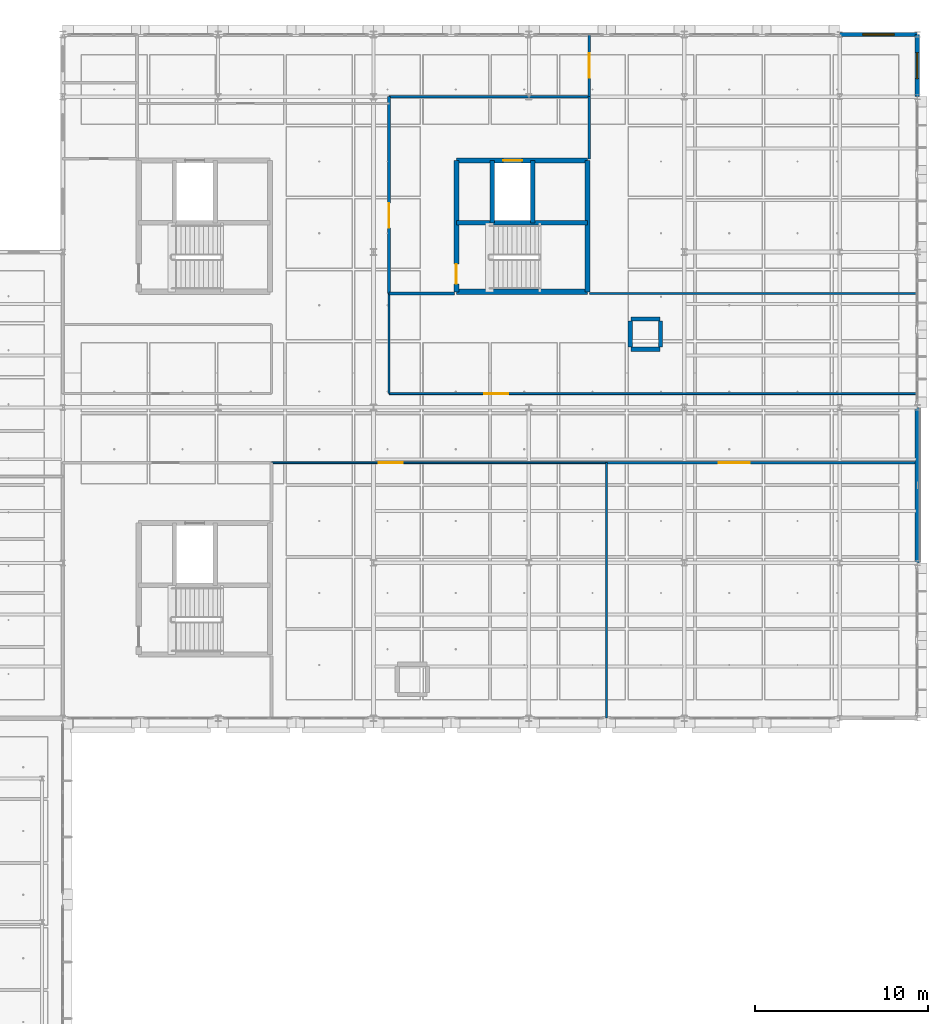
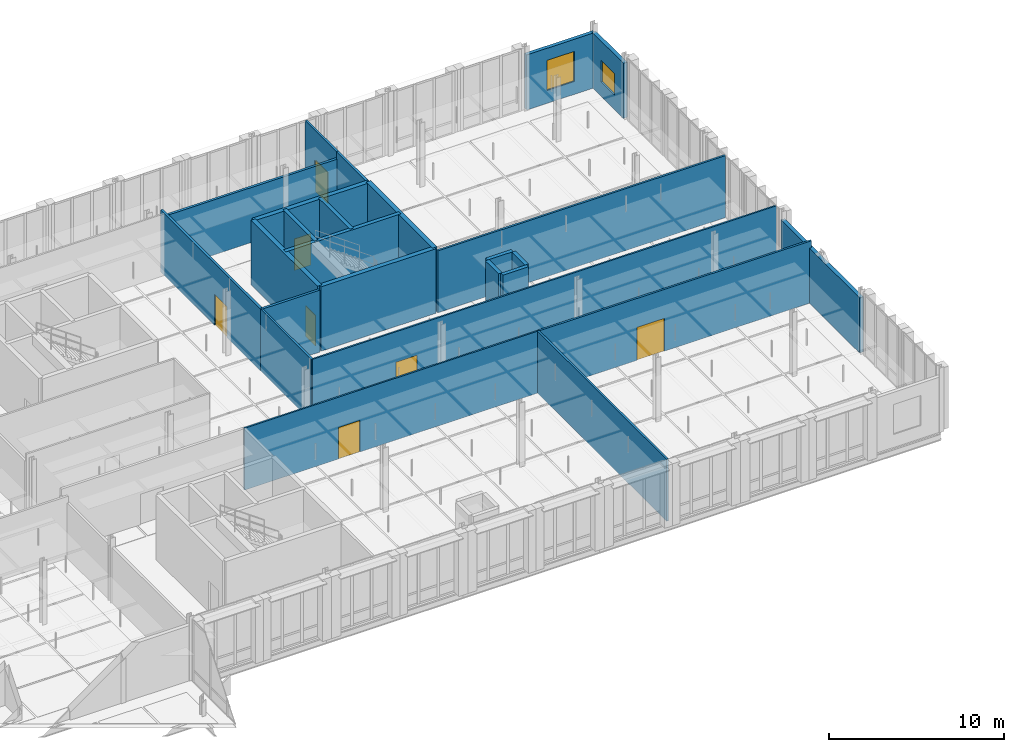
# One storey, part 75 of 130: 25 walls, 7 doors, 2 windows, 9 openings.
"""IFC4 building model written with IfcOpenShell, lengths in metres."""

from ifc_helpers import new_model, si_unit, direction, frame, frame_2d, origin, place, context, subcontext, project, spatial, rectangle, extrude, material, layer, layer_set, type_object, element, fill, save


model = new_model("IFC4")

# Units and contexts
model_context = context("Model", 3, precision=1e-05, world=origin(), true_north=direction((0.0, 1.0)))
body_context = subcontext(model_context, "Body", "Model", "MODEL_VIEW")
ifc_project = project(units=[si_unit("LENGTHUNIT", "METRE"), si_unit("AREAUNIT", "SQUARE_METRE"), si_unit("VOLUMEUNIT", "CUBIC_METRE"), si_unit("PLANEANGLEUNIT", "RADIAN"), si_unit("MASSUNIT", "GRAM", prefix="KILO"), si_unit("THERMODYNAMICTEMPERATUREUNIT", "KELVIN"), si_unit("POWERUNIT", "WATT")], contexts=[model_context])

# Site, building, storey
site_placement = place(None, origin())
site = spatial("IfcSite", under=ifc_project, at=site_placement, CompositionType="ELEMENT")
building_placement = place(site_placement, origin())
building = spatial("IfcBuilding", under=site, at=building_placement, Name="Tallowbark Science Centre", CompositionType="ELEMENT")
storey_placement = place(building_placement, frame((0.0, 0.0, 5.39990234375)))
storey = spatial("IfcBuildingStorey", under=building, at=storey_placement, Name="L01", CompositionType="ELEMENT", Elevation=5.39990234375)

# Wall, opening, window
ifc_material_1 = material(Name="Hawkesbury Sandstone Faced Masonry Cavity Wall", Category="masonry")
ifc_layer_1 = layer(ifc_material_1, 0.22998046875)
ifc_layer_set_1 = layer_set([ifc_layer_1], Name="Hawkesbury Sandstone Faced Masonry Cavity Wall")
wall_type_1 = type_object("IfcWallType", Name="EWL-MAS-230", PredefinedType="STANDARD", material=ifc_layer_set_1)
wall_1_placement = place(storey_placement, frame((162.0, 111.60009765625, 0.0), z_axis=(0.0, 0.0, 1.0), x_axis=(-1.0, 0.0, 0.0)))
wall_1 = element("IfcWall", 1, at=wall_1_placement, inside=storey, type_object=wall_type_1, Name="Exterior Wall OBS-N-L01-157", PredefinedType="STANDARD", context=body_context, shape_type="SweptSolid", body=[
    extrude(rectangle(XDim=4.5, YDim=0.22998046875, at=frame_2d((2.25, 0.0))), origin(), (0.0, 0.0, 1.0), 3.84619140625),
])
opening_1_placement = place(wall_1_placement, frame((1.35009765625, 0.0, 0.89990234375)))
opening_1 = element("IfcOpeningElement", 2, at=opening_1_placement, cuts=wall_1, Name="Opening W-04", PredefinedType="OPENING", context=body_context, shape_type="SweptSolid", body=[
    extrude(rectangle(XDim=1.800048828125, YDim=2.10009765625, at=frame_2d((0.89990234375, 1.050048828125))), frame((0.0, 0.125, 0.0), z_axis=(0.0, -1.0, 0.0), x_axis=(1.0, 0.0, 0.0)), (0.0, 0.0, 1.0), 0.25),
])
ifc_material_2 = material(Name="Thermally Broken Aluminium and Low-E Double Glazing", Category="aluminium")
window_type_1 = type_object("IfcWindowType", Name="WIN-F180x210", PartitioningType="SINGLE_PANEL", PredefinedType="WINDOW", material=ifc_material_2)
window_1_placement = place(opening_1_placement, origin())
window_1 = element("IfcWindow", 3, at=window_1_placement, inside=storey, type_object=window_type_1, Name="Window WIN-L01-0040", OverallHeight=2.10009765625, OverallWidth=1.800048828125, PartitioningType="SINGLE_PANEL", PredefinedType="WINDOW", context=body_context, shape_type="SweptSolid", body=[
    extrude(rectangle(XDim=1.800048828125, YDim=2.10009765625, at=frame_2d((0.89990234375, 1.050048828125))), frame((0.0, 0.030029296875, 0.0), z_axis=(0.0, -1.0, 0.0), x_axis=(1.0, 0.0, 0.0)), (0.0, 0.0, 1.0), 0.06005859375),
])
fill(opening_1, window_1)

# Wall
ifc_material_3 = material(Name="Insulated Precast Concrete Panel Grade N40 (40 MPa)", Category="concrete")
ifc_layer_2 = layer(ifc_material_3, 0.25)
ifc_layer_set_2 = layer_set([ifc_layer_2], Name="Insulated Precast Concrete Panel Grade N40 (40 MPa)")
wall_type_2 = type_object("IfcWallType", Name="EWL-PRC-250", PredefinedType="STANDARD", material=ifc_layer_set_2)
wall_2_placement = place(storey_placement, frame((162.0, 81.0, 0.0), z_axis=(0.0, 0.0, 1.0), x_axis=(0.0, 1.0, 0.0)))
element("IfcWall", 4, at=wall_2_placement, inside=storey, type_object=wall_type_2, Name="Exterior Wall OBS-E-L01-81", PredefinedType="STANDARD", context=body_context, shape_type="SweptSolid", body=[
    extrude(rectangle(XDim=9.0, YDim=0.25, at=frame_2d((4.5, 0.0))), origin(), (0.0, 0.0, 1.0), 3.84619140625),
])

# Wall, opening, window
wall_3_placement = place(storey_placement, frame((162.0, 108.0, 0.0), z_axis=(0.0, 0.0, 1.0), x_axis=(0.0, 1.0, 0.0)))
wall_3 = element("IfcWall", 5, at=wall_3_placement, inside=storey, type_object=wall_type_2, Name="Exterior Wall OBS-E-L01-108", PredefinedType="STANDARD", context=body_context, shape_type="SweptSolid", body=[
    extrude(rectangle(XDim=3.60009765625, YDim=0.25, at=frame_2d((1.800048828125, 0.0))), origin(), (0.0, 0.0, 1.0), 3.84619140625),
])
opening_2_placement = place(wall_3_placement, frame((1.050048828125, 0.0, 1.0)))
opening_2 = element("IfcOpeningElement", 6, at=opening_2_placement, cuts=wall_3, Name="Opening W-08", PredefinedType="OPENING", context=body_context, shape_type="SweptSolid", body=[
    extrude(rectangle(XDim=1.5, YDim=1.5, at=frame_2d((0.75, 0.75))), frame((0.0, 0.135009765625, 0.0), z_axis=(0.0, -1.0, 0.0), x_axis=(1.0, 0.0, 0.0)), (0.0, 0.0, 1.0), 0.27001953125),
])
window_type_2 = type_object("IfcWindowType", Name="WIN-F150x150", PartitioningType="SINGLE_PANEL", PredefinedType="WINDOW", material=ifc_material_2)
window_2_placement = place(opening_2_placement, origin())
window_2 = element("IfcWindow", 7, at=window_2_placement, inside=storey, type_object=window_type_2, Name="Window WIN-L01-0041", OverallHeight=1.5, OverallWidth=1.5, PartitioningType="SINGLE_PANEL", PredefinedType="WINDOW", context=body_context, shape_type="SweptSolid", body=[
    extrude(rectangle(XDim=1.5, YDim=1.5, at=frame_2d((0.75, 0.75))), frame((0.0, 0.030029296875, 0.0), z_axis=(0.0, -1.0, 0.0), x_axis=(1.0, 0.0, 0.0)), (0.0, 0.0, 1.0), 0.06005859375),
])
fill(opening_2, window_2)

# Wall
ifc_material_4 = material(Name="132 mm Acoustic Laboratory Steel Stud Partition", Category="steel")
ifc_layer_3 = layer(ifc_material_4, 0.132080078125)
ifc_layer_set_3 = layer_set([ifc_layer_3], Name="132 mm Acoustic Laboratory Steel Stud Partition")
wall_type_3 = type_object("IfcWallType", Name="PTW-132", PredefinedType="PARTITIONING", material=ifc_layer_set_3)
wall_4_placement = place(storey_placement, frame((144.0, 72.0, 0.0), z_axis=(0.0, 0.0, 1.0), x_axis=(0.0, 1.0, 0.0)))
element("IfcWall", 8, at=wall_4_placement, inside=storey, type_object=wall_type_3, Name="Interior Partition PTW-L01-0192", PredefinedType="PARTITIONING", context=body_context, shape_type="SweptSolid", body=[
    extrude(rectangle(XDim=14.800048828125, YDim=0.132080078125, at=frame_2d((7.39990234375, 0.0))), origin(), (0.0, 0.0, 1.0), 4.320068359375),
])

# Wall, opening, door
wall_5_placement = place(storey_placement, frame((144.0, 86.800048828125, 0.0), z_axis=(0.0, 0.0, 1.0), x_axis=(1.0, 0.0, 0.0)))
wall_5 = element("IfcWall", 9, at=wall_5_placement, inside=storey, type_object=wall_type_3, Name="Interior Partition PTW-L01-0193", PredefinedType="PARTITIONING", context=body_context, shape_type="SweptSolid", body=[
    extrude(rectangle(XDim=18.0, YDim=0.132080078125, at=frame_2d((9.0, 0.0))), origin(), (0.0, 0.0, 1.0), 4.320068359375),
])
opening_3_placement = place(wall_5_placement, frame((6.5, 0.0, 0.0)))
opening_3 = element("IfcOpeningElement", 10, at=opening_3_placement, cuts=wall_5, Name="Opening ID-03", PredefinedType="OPENING", context=body_context, shape_type="SweptSolid", body=[
    extrude(rectangle(XDim=1.800048828125, YDim=2.300048828125, at=frame_2d((0.89990234375, 1.14990234375))), frame((0.0, 0.076171875, 0.0), z_axis=(0.0, -1.0, 0.0), x_axis=(1.0, 0.0, 0.0)), (0.0, 0.0, 1.0), 0.152099609375),
])
ifc_material_5 = material(Name="Acoustic Sound-Lock Theatre Pair")
door_type_1 = type_object("IfcDoorType", Name="IDR-AUD-180", OperationType="DOUBLE_DOOR_SINGLE_SWING", PredefinedType="DOOR", material=ifc_material_5)
door_1_placement = place(opening_3_placement, origin())
door_1 = element("IfcDoor", 11, at=door_1_placement, inside=storey, type_object=door_type_1, Name="Interior Door IDR-L01-0080", OperationType="DOUBLE_DOOR_SINGLE_SWING", OverallHeight=2.300048828125, OverallWidth=1.800048828125, PredefinedType="DOOR", context=body_context, shape_type="SweptSolid", body=[
    extrude(rectangle(XDim=1.800048828125, YDim=2.300048828125, at=frame_2d((0.89990234375, 1.14990234375))), frame((0.0, 0.02490234375, 0.0), z_axis=(0.0, -1.0, 0.0), x_axis=(1.0, 0.0, 0.0)), (0.0, 0.0, 1.0), 0.050048828125),
])
fill(opening_3, door_1)

# Walls
wall_6_placement = place(storey_placement, frame((131.39990234375, 90.800048828125, 0.0), z_axis=(0.0, 0.0, 1.0), x_axis=(0.0, 1.0, 0.0)))
element("IfcWall", 12, at=wall_6_placement, inside=storey, type_object=wall_type_3, Name="Interior Partition PTW-L01-0202", PredefinedType="PARTITIONING", context=body_context, shape_type="SweptSolid", body=[
    extrude(rectangle(XDim=5.800048828125, YDim=0.132080078125, at=frame_2d((2.89990234375, 0.0))), origin(), (0.0, 0.0, 1.0), 4.320068359375),
])
wall_7_placement = place(storey_placement, frame((143.0, 96.60009765625, 0.0), z_axis=(0.0, 0.0, 1.0), x_axis=(1.0, 0.0, 0.0)))
element("IfcWall", 13, at=wall_7_placement, inside=storey, type_object=wall_type_3, Name="Interior Partition PTW-L01-0203", PredefinedType="PARTITIONING", context=body_context, shape_type="SweptSolid", body=[
    extrude(rectangle(XDim=19.0, YDim=0.132080078125, at=frame_2d((9.5, 0.0))), origin(), (0.0, 0.0, 1.0), 4.320068359375),
])

# Wall, opening, door
wall_8_placement = place(storey_placement, frame((143.0, 108.0, 0.0), z_axis=(0.0, 0.0, 1.0), x_axis=(0.0, 1.0, 0.0)))
wall_8 = element("IfcWall", 14, at=wall_8_placement, inside=storey, type_object=wall_type_3, Name="Interior Partition PTW-L01-0204", PredefinedType="PARTITIONING", context=body_context, shape_type="SweptSolid", body=[
    extrude(rectangle(XDim=3.60009765625, YDim=0.132080078125, at=frame_2d((1.800048828125, 0.0))), origin(), (0.0, 0.0, 1.0), 4.320068359375),
])
opening_4_placement = place(wall_8_placement, frame((1.10009765625, 0.0, 0.0)))
opening_4 = element("IfcOpeningElement", 15, at=opening_4_placement, cuts=wall_8, Name="Opening ID-01", PredefinedType="OPENING", context=body_context, shape_type="SweptSolid", body=[
    extrude(rectangle(XDim=1.39990234375, YDim=2.199951171875, at=frame_2d((0.699951171875, 1.10009765625))), frame((0.0, 0.076171875, 0.0), z_axis=(0.0, -1.0, 0.0), x_axis=(1.0, 0.0, 0.0)), (0.0, 0.0, 1.0), 0.152099609375),
])
ifc_material_6 = material(Name="Vision-Panel Leaf and Unequal Side Leaf")
door_type_2 = type_object("IfcDoorType", Name="IDR-LAB-140", OperationType="DOUBLE_DOOR_SINGLE_SWING", PredefinedType="DOOR", material=ifc_material_6)
door_2_placement = place(opening_4_placement, origin())
door_2 = element("IfcDoor", 16, at=door_2_placement, inside=storey, type_object=door_type_2, Name="Interior Door IDR-L01-0085", OperationType="DOUBLE_DOOR_SINGLE_SWING", OverallHeight=2.199951171875, OverallWidth=1.39990234375, PredefinedType="DOOR", context=body_context, shape_type="SweptSolid", body=[
    extrude(rectangle(XDim=1.39990234375, YDim=2.199951171875, at=frame_2d((0.699951171875, 1.10009765625))), frame((0.0, 0.02490234375, 0.0), z_axis=(0.0, -1.0, 0.0), x_axis=(1.0, 0.0, 0.0)), (0.0, 0.0, 1.0), 0.050048828125),
])
fill(opening_4, door_2)

ifc_material_7 = material(Name="162 mm Double-Stud Fire-Rated Corridor Partition")
ifc_layer_4 = layer(ifc_material_7, 0.162109375)
ifc_layer_set_4 = layer_set([ifc_layer_4], Name="162 mm Double-Stud Fire-Rated Corridor Partition")
wall_type_4 = type_object("IfcWallType", Name="PTW-162", PredefinedType="PARTITIONING", material=ifc_layer_set_4)
wall_9_placement = place(storey_placement, frame((131.39990234375, 96.60009765625, 0.0), z_axis=(0.0, 0.0, 1.0), x_axis=(0.0, 1.0, 0.0)))
wall_9 = element("IfcWall", 17, at=wall_9_placement, inside=storey, type_object=wall_type_4, Name="Interior Partition PTW-L01-0026", PredefinedType="PARTITIONING", context=body_context, shape_type="SweptSolid", body=[
    extrude(rectangle(XDim=11.39990234375, YDim=0.162109375, at=frame_2d((5.699951171875, 0.0))), origin(), (0.0, 0.0, 1.0), 4.320068359375),
])
opening_5_placement = place(wall_9_placement, frame((3.800048828125, 0.0, 0.0)))
opening_5 = element("IfcOpeningElement", 18, at=opening_5_placement, cuts=wall_9, Name="Opening DS-06", PredefinedType="OPENING", context=body_context, shape_type="SweptSolid", body=[
    extrude(rectangle(XDim=1.429931640625, YDim=2.175048828125, at=frame_2d((0.71484375, 1.08740234375))), frame((0.0, 0.091064453125, 0.0), z_axis=(0.0, -1.0, 0.0), x_axis=(1.0, 0.0, 0.0)), (0.0, 0.0, 1.0), 0.18212890625),
])
ifc_material_8 = material(Name="Fire-Rated Glazed Steel Pair", Category="steel")
door_type_3 = type_object("IfcDoorType", Name="FDR-LOB-145-S06", OperationType="DOUBLE_DOOR_SINGLE_SWING", PredefinedType="DOOR", material=ifc_material_8)
door_3_placement = place(opening_5_placement, origin())
door_3 = element("IfcDoor", 19, at=door_3_placement, inside=storey, type_object=door_type_3, Name="Interior Door IDR-L01-0006", OperationType="DOUBLE_DOOR_SINGLE_SWING", OverallHeight=2.175048828125, OverallWidth=1.429931640625, PredefinedType="DOOR", context=body_context, shape_type="SweptSolid", body=[
    extrude(rectangle(XDim=1.429931640625, YDim=2.175048828125, at=frame_2d((0.71484375, 1.08740234375))), frame((0.0, 0.02490234375, 0.0), z_axis=(0.0, -1.0, 0.0), x_axis=(1.0, 0.0, 0.0)), (0.0, 0.0, 1.0), 0.050048828125),
])
fill(opening_5, door_3)

# Walls
wall_10_placement = place(storey_placement, frame((131.39990234375, 96.60009765625, 0.0), z_axis=(0.0, 0.0, 1.0), x_axis=(1.0, 0.0, 0.0)))
element("IfcWall", 20, at=wall_10_placement, inside=storey, type_object=wall_type_4, Name="Interior Partition PTW-L01-0027", PredefinedType="PARTITIONING", context=body_context, shape_type="SweptSolid", body=[
    extrude(rectangle(XDim=3.800048828125, YDim=0.162109375, at=frame_2d((1.89990234375, 0.0))), origin(), (0.0, 0.0, 1.0), 4.320068359375),
])
wall_11_placement = place(storey_placement, frame((143.0, 104.39990234375, 0.0), z_axis=(0.0, 0.0, 1.0), x_axis=(0.0, 1.0, 0.0)))
element("IfcWall", 21, at=wall_11_placement, inside=storey, type_object=wall_type_4, Name="Interior Partition PTW-L01-0028", PredefinedType="PARTITIONING", context=body_context, shape_type="SweptSolid", body=[
    extrude(rectangle(XDim=3.60009765625, YDim=0.162109375, at=frame_2d((1.800048828125, 0.0))), origin(), (0.0, 0.0, 1.0), 4.320068359375),
])
wall_12_placement = place(storey_placement, frame((131.39990234375, 108.0, 0.0), z_axis=(0.0, 0.0, 1.0), x_axis=(1.0, 0.0, 0.0)))
element("IfcWall", 22, at=wall_12_placement, inside=storey, type_object=wall_type_4, Name="Interior Partition PTW-L01-0029", PredefinedType="PARTITIONING", context=body_context, shape_type="SweptSolid", body=[
    extrude(rectangle(XDim=11.60009765625, YDim=0.162109375, at=frame_2d((5.800048828125, 0.0))), origin(), (0.0, 0.0, 1.0), 3.84619140625),
])

# Wall, opening, door
ifc_material_9 = material(Name="108 mm Acoustic Double-Glazed Laboratory Partition")
ifc_layer_5 = layer(ifc_material_9, 0.10791015625)
ifc_layer_set_5 = layer_set([ifc_layer_5], Name="108 mm Acoustic Double-Glazed Laboratory Partition")
wall_type_5 = type_object("IfcWallType", Name="PTW-GLZ-108", PredefinedType="PARTITIONING", material=ifc_layer_set_5)
wall_13_placement = place(storey_placement, frame((124.60009765625, 86.800048828125, 0.0), z_axis=(0.0, 0.0, 1.0), x_axis=(1.0, 0.0, 0.0)))
wall_13 = element("IfcWall", 23, at=wall_13_placement, inside=storey, type_object=wall_type_5, Name="Interior Partition PTW-L01-0191", PredefinedType="PARTITIONING", context=body_context, shape_type="SweptSolid", body=[
    extrude(rectangle(XDim=19.39990234375, YDim=0.10791015625, at=frame_2d((9.699951171875, 0.0))), origin(), (0.0, 0.0, 1.0), 4.320068359375),
])
opening_6_placement = place(wall_13_placement, frame((6.199951171875, 0.0, 0.0)))
opening_6 = element("IfcOpeningElement", 24, at=opening_6_placement, cuts=wall_13, Name="Opening ID-01", PredefinedType="OPENING", context=body_context, shape_type="SweptSolid", body=[
    extrude(rectangle(XDim=1.39990234375, YDim=2.199951171875, at=frame_2d((0.699951171875, 1.10009765625))), frame((0.0, 0.06396484375, 0.0), z_axis=(0.0, -1.0, 0.0), x_axis=(1.0, 0.0, 0.0)), (0.0, 0.0, 1.0), 0.1279296875),
])
door_4_placement = place(opening_6_placement, origin())
door_4 = element("IfcDoor", 25, at=door_4_placement, inside=storey, type_object=door_type_2, Name="Interior Door IDR-L01-0079", OperationType="DOUBLE_DOOR_SINGLE_SWING", OverallHeight=2.199951171875, OverallWidth=1.39990234375, PredefinedType="DOOR", context=body_context, shape_type="SweptSolid", body=[
    extrude(rectangle(XDim=1.39990234375, YDim=2.199951171875, at=frame_2d((0.699951171875, 1.10009765625))), frame((0.0, 0.02490234375, 0.0), z_axis=(0.0, -1.0, 0.0), x_axis=(1.0, 0.0, 0.0)), (0.0, 0.0, 1.0), 0.050048828125),
])
fill(opening_6, door_4)

wall_14_placement = place(storey_placement, frame((131.39990234375, 90.800048828125, 0.0), z_axis=(0.0, 0.0, 1.0), x_axis=(1.0, 0.0, 0.0)))
wall_14 = element("IfcWall", 26, at=wall_14_placement, inside=storey, type_object=wall_type_5, Name="Interior Partition PTW-L01-0201", PredefinedType="PARTITIONING", context=body_context, shape_type="SweptSolid", body=[
    extrude(rectangle(XDim=30.60009765625, YDim=0.10791015625, at=frame_2d((15.300048828125, 0.0))), origin(), (0.0, 0.0, 1.0), 4.320068359375),
])
opening_7_placement = place(wall_14_placement, frame((5.5, 0.0, 0.0)))
opening_7 = element("IfcOpeningElement", 27, at=opening_7_placement, cuts=wall_14, Name="Opening ID-01", PredefinedType="OPENING", context=body_context, shape_type="SweptSolid", body=[
    extrude(rectangle(XDim=1.39990234375, YDim=2.199951171875, at=frame_2d((0.699951171875, 1.10009765625))), frame((0.0, 0.06396484375, 0.0), z_axis=(0.0, -1.0, 0.0), x_axis=(1.0, 0.0, 0.0)), (0.0, 0.0, 1.0), 0.1279296875),
])
door_5_placement = place(opening_7_placement, origin())
door_5 = element("IfcDoor", 28, at=door_5_placement, inside=storey, type_object=door_type_2, Name="Interior Door IDR-L01-0084", OperationType="DOUBLE_DOOR_SINGLE_SWING", OverallHeight=2.199951171875, OverallWidth=1.39990234375, PredefinedType="DOOR", context=body_context, shape_type="SweptSolid", body=[
    extrude(rectangle(XDim=1.39990234375, YDim=2.199951171875, at=frame_2d((0.699951171875, 1.10009765625))), frame((0.0, 0.02490234375, 0.0), z_axis=(0.0, -1.0, 0.0), x_axis=(1.0, 0.0, 0.0)), (0.0, 0.0, 1.0), 0.050048828125),
])
fill(opening_7, door_5)

ifc_material_10 = material(Name="Concrete Grade N40 (40 MPa)", Category="concrete")
ifc_layer_6 = layer(ifc_material_10, 0.300048828125)
ifc_layer_set_6 = layer_set([ifc_layer_6], Name="Concrete Grade N40 (40 MPa)")
wall_type_6 = type_object("IfcWallType", Name="WL-CORE-300", PredefinedType="SHEAR", material=ifc_layer_set_6)
wall_15_placement = place(storey_placement, frame((135.300048828125, 96.699951171875, 0.0), z_axis=(0.0, 0.0, 1.0), x_axis=(0.0, 1.0, 0.0)))
wall_15 = element("IfcWall", 29, at=wall_15_placement, inside=storey, type_object=wall_type_6, Name="Core C4 Shear Wall L01 W", PredefinedType="SHEAR", context=body_context, shape_type="SweptSolid", body=[
    extrude(rectangle(XDim=7.60009765625, YDim=0.300048828125, at=frame_2d((3.800048828125, 0.0))), origin(), (0.0, 0.0, 1.0), 4.5),
])
opening_8_placement = place(wall_15_placement, frame((0.449951171875, 0.0, 0.0)))
opening_8 = element("IfcOpeningElement", 30, at=opening_8_placement, cuts=wall_15, Name="Opening FD-01", PredefinedType="OPENING", context=body_context, shape_type="SweptSolid", body=[
    extrude(rectangle(XDim=1.14990234375, YDim=2.14990234375, at=frame_2d((0.574951171875, 1.074951171875))), frame((0.0, 0.16015625, 0.0), z_axis=(0.0, -1.0, 0.0), x_axis=(1.0, 0.0, 0.0)), (0.0, 0.0, 1.0), 0.320068359375),
])
ifc_material_11 = material(Name="Fire-Rated Pressed Steel Frame and Solid Core Leaf", Category="steel")
door_type_4 = type_object("IfcDoorType", Name="FDR-STR-115", OperationType="NOTDEFINED", PredefinedType="DOOR", material=ifc_material_11)
door_6_placement = place(opening_8_placement, origin())
door_6 = element("IfcDoor", 31, at=door_6_placement, inside=storey, type_object=door_type_4, Name="Stair ST-04 Fire Door L01", OperationType="SINGLE_SWING_LEFT", OverallHeight=2.14990234375, OverallWidth=1.14990234375, PredefinedType="DOOR", context=body_context, shape_type="SweptSolid", body=[
    extrude(rectangle(XDim=1.14990234375, YDim=2.14990234375, at=frame_2d((0.574951171875, 1.074951171875))), frame((0.0, 0.02490234375, 0.0), z_axis=(0.0, -1.0, 0.0), x_axis=(1.0, 0.0, 0.0)), (0.0, 0.0, 1.0), 0.050048828125),
])
fill(opening_8, door_6)

# Walls
wall_16_placement = place(storey_placement, frame((142.89990234375, 96.699951171875, 0.0), z_axis=(0.0, 0.0, 1.0), x_axis=(0.0, 1.0, 0.0)))
element("IfcWall", 32, at=wall_16_placement, inside=storey, type_object=wall_type_6, Name="Core C4 Shear Wall L01 E", PredefinedType="SHEAR", context=body_context, shape_type="SweptSolid", body=[
    extrude(rectangle(XDim=7.60009765625, YDim=0.300048828125, at=frame_2d((3.800048828125, 0.0))), origin(), (0.0, 0.0, 1.0), 4.5),
])
wall_17_placement = place(storey_placement, frame((135.300048828125, 96.699951171875, 0.0), z_axis=(0.0, 0.0, 1.0), x_axis=(1.0, 0.0, 0.0)))
element("IfcWall", 33, at=wall_17_placement, inside=storey, type_object=wall_type_6, Name="Core C4 Shear Wall L01 S", PredefinedType="SHEAR", context=body_context, shape_type="SweptSolid", body=[
    extrude(rectangle(XDim=7.599853515625, YDim=0.300048828125, at=frame_2d((3.7998046875, 0.0))), origin(), (0.0, 0.0, 1.0), 4.5),
])

# Wall, opening, door
wall_18_placement = place(storey_placement, frame((135.300048828125, 104.300048828125, 0.0), z_axis=(0.0, 0.0, 1.0), x_axis=(1.0, 0.0, 0.0)))
wall_18 = element("IfcWall", 34, at=wall_18_placement, inside=storey, type_object=wall_type_6, Name="Core C4 Shear Wall L01 N", PredefinedType="SHEAR", context=body_context, shape_type="SweptSolid", body=[
    extrude(rectangle(XDim=7.599853515625, YDim=0.300048828125, at=frame_2d((3.7998046875, 0.0))), origin(), (0.0, 0.0, 1.0), 4.5),
])
opening_9_placement = place(wall_18_placement, frame((2.699951171875, 0.0, 0.0)))
opening_9 = element("IfcOpeningElement", 35, at=opening_9_placement, cuts=wall_18, Name="Opening LD-01", PredefinedType="OPENING", context=body_context, shape_type="SweptSolid", body=[
    extrude(rectangle(XDim=1.10009765625, YDim=2.199951171875, at=frame_2d((0.550048828125, 1.10009765625))), frame((0.0, 0.16015625, 0.0), z_axis=(0.0, -1.0, 0.0), x_axis=(1.0, 0.0, 0.0)), (0.0, 0.0, 1.0), 0.320068359375),
])
ifc_material_12 = material(Name="Brushed Stainless Steel Centre-Parting Lift Landing Door", Category="steel")
door_type_5 = type_object("IfcDoorType", Name="LDR-LFT-110", OperationType="DOUBLE_DOOR_SLIDING", PredefinedType="DOOR", material=ifc_material_12)
door_7_placement = place(opening_9_placement, origin())
door_7 = element("IfcDoor", 36, at=door_7_placement, inside=storey, type_object=door_type_5, Name="Lift LF-03 Landing Door L01", OperationType="DOUBLE_DOOR_SLIDING", OverallHeight=2.199951171875, OverallWidth=1.10009765625, PredefinedType="DOOR", context=body_context, shape_type="SweptSolid", body=[
    extrude(rectangle(XDim=1.10009765625, YDim=2.199951171875, at=frame_2d((0.550048828125, 1.10009765625))), frame((0.0, 0.02490234375, 0.0), z_axis=(0.0, -1.0, 0.0), x_axis=(1.0, 0.0, 0.0)), (0.0, 0.0, 1.0), 0.050048828125),
])
fill(opening_9, door_7)

# Walls
ifc_layer_7 = layer(ifc_material_10, 0.25)
ifc_layer_set_7 = layer_set([ifc_layer_7], Name="Concrete Grade N40 (40 MPa)")
wall_type_7 = type_object("IfcWallType", Name="WL-SHAFT-250", PredefinedType="SHEAR", material=ifc_layer_set_7)
wall_19_placement = place(storey_placement, frame((135.300048828125, 100.695068359375, 0.0), z_axis=(0.0, 0.0, 1.0), x_axis=(1.0, 0.0, 0.0)))
element("IfcWall", 37, at=wall_19_placement, inside=storey, type_object=wall_type_7, Name="Core C4 Shear Wall L01 MID", PredefinedType="SHEAR", context=body_context, shape_type="SweptSolid", body=[
    extrude(rectangle(XDim=7.599853515625, YDim=0.25, at=frame_2d((3.7998046875, 0.0))), origin(), (0.0, 0.0, 1.0), 4.5),
])
for number, where, z_axis, x_axis, name in (
    (38, (137.375, 100.695068359375, 0.0), (0.0, 0.0, 1.0), (0.0, 1.0, 0.0), "Core C4 Shear Wall L01 LW"),
    (39, (139.72509765625, 100.695068359375, 0.0), (0.0, 0.0, 1.0), (0.0, 1.0, 0.0), "Core C4 Shear Wall L01 LE"),
):
    element("IfcWall", number, at=place(storey_placement, frame(where, z_axis=z_axis, x_axis=x_axis)), inside=storey, type_object=wall_type_7, Name=name, PredefinedType="SHEAR", context=body_context, shape_type="SweptSolid", body=[
        extrude(rectangle(XDim=3.60498046875, YDim=0.25, at=frame_2d((1.802490234375, 0.0))), origin(), (0.0, 0.0, 1.0), 4.5),
    ])
for number, where, z_axis, x_axis, name in (
    (40, (145.39990234375, 93.375, 0.0), (0.0, 0.0, 1.0), (1.0, 0.0, 0.0), "Service Riser Shaft Wall RSR-OBS-N L01 S"),
    (41, (145.39990234375, 95.125, 0.0), (0.0, 0.0, 1.0), (1.0, 0.0, 0.0), "Service Riser Shaft Wall RSR-OBS-N L01 N"),
):
    element("IfcWall", number, at=place(storey_placement, frame(where, z_axis=z_axis, x_axis=x_axis)), inside=storey, type_object=wall_type_7, Name=name, PredefinedType="SHEAR", context=body_context, shape_type="SweptSolid", body=[
        extrude(rectangle(XDim=1.7001953125, YDim=0.25, at=frame_2d((0.85009765625, 0.0))), origin(), (0.0, 0.0, 1.0), 3.77001953125),
    ])
for number, where, z_axis, x_axis, name in (
    (42, (145.375, 93.5, 0.0), (0.0, 0.0, 1.0), (0.0, 1.0, 0.0), "Service Riser Shaft Wall RSR-OBS-N L01 W"),
    (43, (147.125, 93.5, 0.0), (0.0, 0.0, 1.0), (0.0, 1.0, 0.0), "Service Riser Shaft Wall RSR-OBS-N L01 E"),
):
    element("IfcWall", number, at=place(storey_placement, frame(where, z_axis=z_axis, x_axis=x_axis)), inside=storey, type_object=wall_type_7, Name=name, PredefinedType="SHEAR", context=body_context, shape_type="SweptSolid", body=[
        extrude(rectangle(XDim=1.5, YDim=0.25, at=frame_2d((0.75, 0.0))), origin(), (0.0, 0.0, 1.0), 3.77001953125),
    ])

save(model, "model.ifc")
